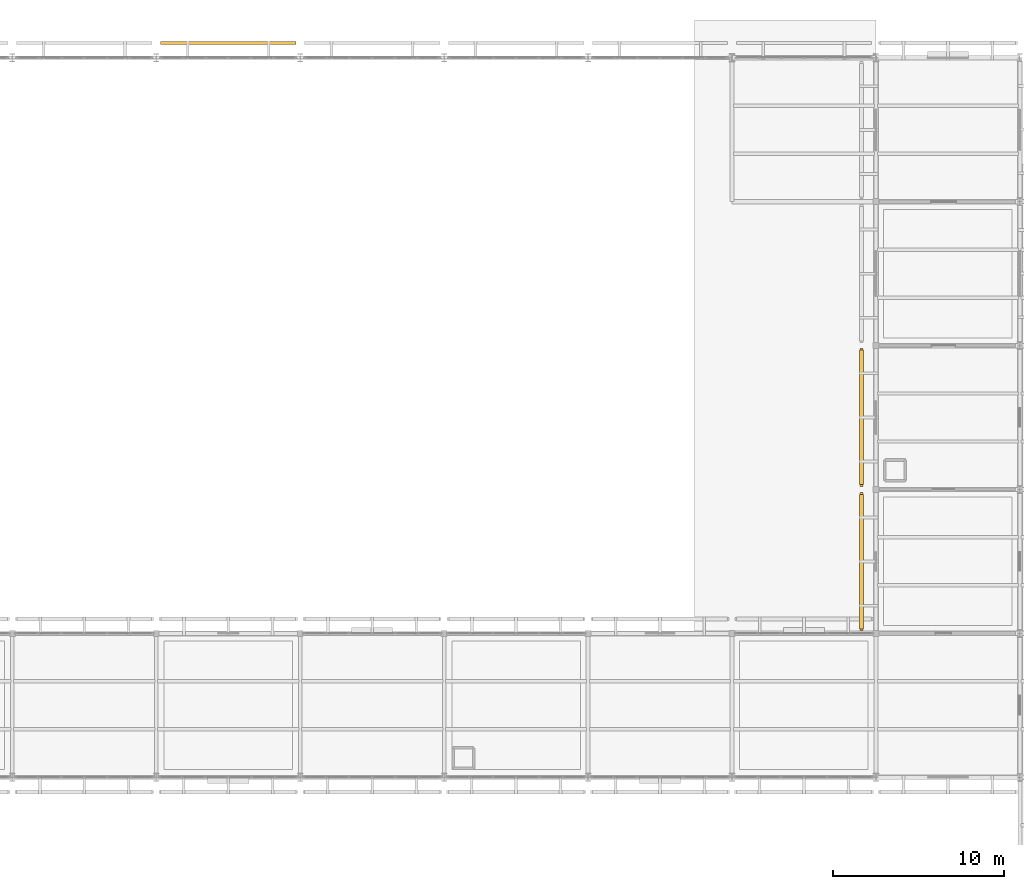
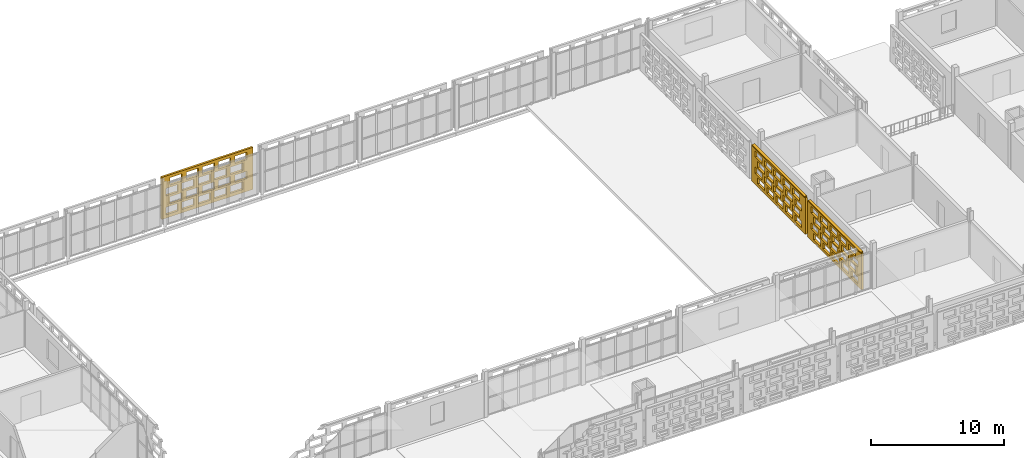
# One storey, part 127 of 140: 3 coverings, 2 shading devices, 60 openings.
"""IFC4 building model written with IfcOpenShell, lengths in metres."""

from ifc_helpers import new_model, si_unit, direction, frame, frame_2d, origin, origin_2d, place, context, subcontext, project, spatial, rectangle, extrude, material, layer, layer_set, type_object, element, save


model = new_model("IFC4")

# Units and contexts
model_context = context("Model", 3, precision=1e-05, world=origin(), true_north=direction((0.0, 1.0)))
body_context = subcontext(model_context, "Body", "Model", "MODEL_VIEW")
ifc_project = project(units=[si_unit("LENGTHUNIT", "METRE"), si_unit("AREAUNIT", "SQUARE_METRE"), si_unit("VOLUMEUNIT", "CUBIC_METRE"), si_unit("PLANEANGLEUNIT", "RADIAN"), si_unit("MASSUNIT", "GRAM", prefix="KILO")], contexts=[model_context])

# Site, building, storey
site_placement = place(None, origin())
site = spatial("IfcSite", under=ifc_project, at=site_placement, CompositionType="ELEMENT")
building_placement = place(site_placement, origin())
building = spatial("IfcBuilding", under=site, at=building_placement, Name="Varnapada Polytechnic", CompositionType="ELEMENT")
storey_placement = place(building_placement, frame((0.0, 0.0, 13.800048828125)))
storey = spatial("IfcBuildingStorey", under=building, at=storey_placement, Name="L03", CompositionType="ELEMENT", Elevation=13.800048828125)

# Covering, openings
ifc_material = material(Name="Earth-toned architectural terracotta screen block", Category="masonry")
ifc_layer_1 = layer(ifc_material, 0.1201171875)
ifc_layer_set_1 = layer_set([ifc_layer_1], Name="Earth-toned architectural terracotta screen block")
covering_type = type_object("IfcCoveringType", Name="Terracotta Screen Cladding CLD-01", PredefinedType="CLADDING", material=ifc_layer_set_1)
covering_1_placement = place(storey_placement, frame((125.14990234375, 92.570068359375, 0.0), z_axis=(0.0, 0.0, 1.0), x_axis=(0.0, 1.0, 0.0)))
covering_1 = element("IfcCovering", 1, at=covering_1_placement, inside=storey, type_object=covering_type, Name="L03 perforated terracotta block screen (70)", PredefinedType="CLADDING", context=body_context, shape_type="SweptSolid", body=[
    extrude(rectangle(XDim=8.050048828125, YDim=0.179931640625, at=frame_2d((4.02490234375, 0.0))), origin(), (0.0, 0.0, 1.0), 3.320068359375),
])
opening_1_placement = place(covering_1_placement, frame((0.52490234375, 0.0, 0.265625)))
element("IfcOpeningElement", 2, at=opening_1_placement, cuts=covering_1, Name="Screen perforation TBS-L03-069.1", PredefinedType="OPENING", context=body_context, shape_type="SweptSolid", body=[
    extrude(rectangle(XDim=1.0400390625, YDim=0.5810546875, at=frame_2d((0.52001953125, 0.29052734375))), frame((0.0, 0.099853515625, 0.0), z_axis=(0.0, -1.0, 0.0), x_axis=(1.0, 0.0, 0.0)), (0.0, 0.0, 1.0), 0.199951171875),
])
opening_2_placement = place(covering_1_placement, frame((1.925048828125, 0.0, 0.265625)))
element("IfcOpeningElement", 3, at=opening_2_placement, cuts=covering_1, Name="Screen perforation TBS-L03-069.2", PredefinedType="OPENING", context=body_context, shape_type="SweptSolid", body=[
    extrude(rectangle(XDim=1.0400390625, YDim=0.5810546875, at=frame_2d((0.52001953125, 0.29052734375))), frame((0.0, 0.099853515625, 0.0), z_axis=(0.0, -1.0, 0.0), x_axis=(1.0, 0.0, 0.0)), (0.0, 0.0, 1.0), 0.199951171875),
])
opening_3_placement = place(covering_1_placement, frame((3.324951171875, 0.0, 0.265625)))
element("IfcOpeningElement", 4, at=opening_3_placement, cuts=covering_1, Name="Screen perforation TBS-L03-069.3", PredefinedType="OPENING", context=body_context, shape_type="SweptSolid", body=[
    extrude(rectangle(XDim=1.0400390625, YDim=0.5810546875, at=frame_2d((0.52001953125, 0.29052734375))), frame((0.0, 0.099853515625, 0.0), z_axis=(0.0, -1.0, 0.0), x_axis=(1.0, 0.0, 0.0)), (0.0, 0.0, 1.0), 0.199951171875),
])
opening_4_placement = place(covering_1_placement, frame((4.72509765625, 0.0, 0.265625)))
element("IfcOpeningElement", 5, at=opening_4_placement, cuts=covering_1, Name="Screen perforation TBS-L03-069.4", PredefinedType="OPENING", context=body_context, shape_type="SweptSolid", body=[
    extrude(rectangle(XDim=1.0400390625, YDim=0.5810546875, at=frame_2d((0.52001953125, 0.29052734375))), frame((0.0, 0.099853515625, 0.0), z_axis=(0.0, -1.0, 0.0), x_axis=(1.0, 0.0, 0.0)), (0.0, 0.0, 1.0), 0.199951171875),
])
opening_5_placement = place(covering_1_placement, frame((6.125, 0.0, 0.265625)))
element("IfcOpeningElement", 6, at=opening_5_placement, cuts=covering_1, Name="Screen perforation TBS-L03-069.5", PredefinedType="OPENING", context=body_context, shape_type="SweptSolid", body=[
    extrude(rectangle(XDim=1.0400390625, YDim=0.5810546875, at=frame_2d((0.52001953125, 0.29052734375))), frame((0.0, 0.099853515625, 0.0), z_axis=(0.0, -1.0, 0.0), x_axis=(1.0, 0.0, 0.0)), (0.0, 0.0, 1.0), 0.199951171875),
])
opening_6_placement = place(covering_1_placement, frame((0.885009765625, 0.0, 1.0126953125)))
element("IfcOpeningElement", 7, at=opening_6_placement, cuts=covering_1, Name="Screen perforation TBS-L03-069.6", PredefinedType="OPENING", context=body_context, shape_type="SweptSolid", body=[
    extrude(rectangle(XDim=1.0400390625, YDim=0.5810546875, at=frame_2d((0.52001953125, 0.29052734375))), frame((0.0, 0.099853515625, 0.0), z_axis=(0.0, -1.0, 0.0), x_axis=(1.0, 0.0, 0.0)), (0.0, 0.0, 1.0), 0.199951171875),
])
opening_7_placement = place(covering_1_placement, frame((2.284912109375, 0.0, 1.0126953125)))
element("IfcOpeningElement", 8, at=opening_7_placement, cuts=covering_1, Name="Screen perforation TBS-L03-069.7", PredefinedType="OPENING", context=body_context, shape_type="SweptSolid", body=[
    extrude(rectangle(XDim=1.0400390625, YDim=0.5810546875, at=frame_2d((0.52001953125, 0.29052734375))), frame((0.0, 0.099853515625, 0.0), z_axis=(0.0, -1.0, 0.0), x_axis=(1.0, 0.0, 0.0)), (0.0, 0.0, 1.0), 0.199951171875),
])
opening_8_placement = place(covering_1_placement, frame((3.68505859375, 0.0, 1.0126953125)))
element("IfcOpeningElement", 9, at=opening_8_placement, cuts=covering_1, Name="Screen perforation TBS-L03-069.8", PredefinedType="OPENING", context=body_context, shape_type="SweptSolid", body=[
    extrude(rectangle(XDim=1.0400390625, YDim=0.5810546875, at=frame_2d((0.52001953125, 0.29052734375))), frame((0.0, 0.099853515625, 0.0), z_axis=(0.0, -1.0, 0.0), x_axis=(1.0, 0.0, 0.0)), (0.0, 0.0, 1.0), 0.199951171875),
])
opening_9_placement = place(covering_1_placement, frame((5.0849609375, 0.0, 1.0126953125)))
element("IfcOpeningElement", 10, at=opening_9_placement, cuts=covering_1, Name="Screen perforation TBS-L03-069.9", PredefinedType="OPENING", context=body_context, shape_type="SweptSolid", body=[
    extrude(rectangle(XDim=1.0400390625, YDim=0.5810546875, at=frame_2d((0.52001953125, 0.29052734375))), frame((0.0, 0.099853515625, 0.0), z_axis=(0.0, -1.0, 0.0), x_axis=(1.0, 0.0, 0.0)), (0.0, 0.0, 1.0), 0.199951171875),
])
opening_10_placement = place(covering_1_placement, frame((6.485107421875, 0.0, 1.0126953125)))
element("IfcOpeningElement", 11, at=opening_10_placement, cuts=covering_1, Name="Screen perforation TBS-L03-069.10", PredefinedType="OPENING", context=body_context, shape_type="SweptSolid", body=[
    extrude(rectangle(XDim=1.0400390625, YDim=0.5810546875, at=frame_2d((0.52001953125, 0.29052734375))), frame((0.0, 0.099853515625, 0.0), z_axis=(0.0, -1.0, 0.0), x_axis=(1.0, 0.0, 0.0)), (0.0, 0.0, 1.0), 0.199951171875),
])
opening_11_placement = place(covering_1_placement, frame((0.52490234375, 0.0, 1.759521484375)))
element("IfcOpeningElement", 12, at=opening_11_placement, cuts=covering_1, Name="Screen perforation TBS-L03-069.11", PredefinedType="OPENING", context=body_context, shape_type="SweptSolid", body=[
    extrude(rectangle(XDim=1.0400390625, YDim=0.5810546875, at=frame_2d((0.52001953125, 0.29052734375))), frame((0.0, 0.099853515625, 0.0), z_axis=(0.0, -1.0, 0.0), x_axis=(1.0, 0.0, 0.0)), (0.0, 0.0, 1.0), 0.199951171875),
])
opening_12_placement = place(covering_1_placement, frame((1.925048828125, 0.0, 1.759521484375)))
element("IfcOpeningElement", 13, at=opening_12_placement, cuts=covering_1, Name="Screen perforation TBS-L03-069.12", PredefinedType="OPENING", context=body_context, shape_type="SweptSolid", body=[
    extrude(rectangle(XDim=1.0400390625, YDim=0.5810546875, at=frame_2d((0.52001953125, 0.29052734375))), frame((0.0, 0.099853515625, 0.0), z_axis=(0.0, -1.0, 0.0), x_axis=(1.0, 0.0, 0.0)), (0.0, 0.0, 1.0), 0.199951171875),
])
opening_13_placement = place(covering_1_placement, frame((3.324951171875, 0.0, 1.759521484375)))
element("IfcOpeningElement", 14, at=opening_13_placement, cuts=covering_1, Name="Screen perforation TBS-L03-069.13", PredefinedType="OPENING", context=body_context, shape_type="SweptSolid", body=[
    extrude(rectangle(XDim=1.0400390625, YDim=0.5810546875, at=frame_2d((0.52001953125, 0.29052734375))), frame((0.0, 0.099853515625, 0.0), z_axis=(0.0, -1.0, 0.0), x_axis=(1.0, 0.0, 0.0)), (0.0, 0.0, 1.0), 0.199951171875),
])
opening_14_placement = place(covering_1_placement, frame((4.72509765625, 0.0, 1.759521484375)))
element("IfcOpeningElement", 15, at=opening_14_placement, cuts=covering_1, Name="Screen perforation TBS-L03-069.14", PredefinedType="OPENING", context=body_context, shape_type="SweptSolid", body=[
    extrude(rectangle(XDim=1.0400390625, YDim=0.5810546875, at=frame_2d((0.52001953125, 0.29052734375))), frame((0.0, 0.099853515625, 0.0), z_axis=(0.0, -1.0, 0.0), x_axis=(1.0, 0.0, 0.0)), (0.0, 0.0, 1.0), 0.199951171875),
])
opening_15_placement = place(covering_1_placement, frame((6.125, 0.0, 1.759521484375)))
element("IfcOpeningElement", 16, at=opening_15_placement, cuts=covering_1, Name="Screen perforation TBS-L03-069.15", PredefinedType="OPENING", context=body_context, shape_type="SweptSolid", body=[
    extrude(rectangle(XDim=1.0400390625, YDim=0.5810546875, at=frame_2d((0.52001953125, 0.29052734375))), frame((0.0, 0.099853515625, 0.0), z_axis=(0.0, -1.0, 0.0), x_axis=(1.0, 0.0, 0.0)), (0.0, 0.0, 1.0), 0.199951171875),
])
opening_16_placement = place(covering_1_placement, frame((0.885009765625, 0.0, 2.506591796875)))
element("IfcOpeningElement", 17, at=opening_16_placement, cuts=covering_1, Name="Screen perforation TBS-L03-069.16", PredefinedType="OPENING", context=body_context, shape_type="SweptSolid", body=[
    extrude(rectangle(XDim=1.0400390625, YDim=0.5810546875, at=frame_2d((0.52001953125, 0.29052734375))), frame((0.0, 0.099853515625, 0.0), z_axis=(0.0, -1.0, 0.0), x_axis=(1.0, 0.0, 0.0)), (0.0, 0.0, 1.0), 0.199951171875),
])
opening_17_placement = place(covering_1_placement, frame((2.284912109375, 0.0, 2.506591796875)))
element("IfcOpeningElement", 18, at=opening_17_placement, cuts=covering_1, Name="Screen perforation TBS-L03-069.17", PredefinedType="OPENING", context=body_context, shape_type="SweptSolid", body=[
    extrude(rectangle(XDim=1.0400390625, YDim=0.5810546875, at=frame_2d((0.52001953125, 0.29052734375))), frame((0.0, 0.099853515625, 0.0), z_axis=(0.0, -1.0, 0.0), x_axis=(1.0, 0.0, 0.0)), (0.0, 0.0, 1.0), 0.199951171875),
])
opening_18_placement = place(covering_1_placement, frame((3.68505859375, 0.0, 2.506591796875)))
element("IfcOpeningElement", 19, at=opening_18_placement, cuts=covering_1, Name="Screen perforation TBS-L03-069.18", PredefinedType="OPENING", context=body_context, shape_type="SweptSolid", body=[
    extrude(rectangle(XDim=1.0400390625, YDim=0.5810546875, at=frame_2d((0.52001953125, 0.29052734375))), frame((0.0, 0.099853515625, 0.0), z_axis=(0.0, -1.0, 0.0), x_axis=(1.0, 0.0, 0.0)), (0.0, 0.0, 1.0), 0.199951171875),
])
opening_19_placement = place(covering_1_placement, frame((5.0849609375, 0.0, 2.506591796875)))
element("IfcOpeningElement", 20, at=opening_19_placement, cuts=covering_1, Name="Screen perforation TBS-L03-069.19", PredefinedType="OPENING", context=body_context, shape_type="SweptSolid", body=[
    extrude(rectangle(XDim=1.0400390625, YDim=0.5810546875, at=frame_2d((0.52001953125, 0.29052734375))), frame((0.0, 0.099853515625, 0.0), z_axis=(0.0, -1.0, 0.0), x_axis=(1.0, 0.0, 0.0)), (0.0, 0.0, 1.0), 0.199951171875),
])
opening_20_placement = place(covering_1_placement, frame((6.485107421875, 0.0, 2.506591796875)))
element("IfcOpeningElement", 21, at=opening_20_placement, cuts=covering_1, Name="Screen perforation TBS-L03-069.20", PredefinedType="OPENING", context=body_context, shape_type="SweptSolid", body=[
    extrude(rectangle(XDim=1.0400390625, YDim=0.5810546875, at=frame_2d((0.52001953125, 0.29052734375))), frame((0.0, 0.099853515625, 0.0), z_axis=(0.0, -1.0, 0.0), x_axis=(1.0, 0.0, 0.0)), (0.0, 0.0, 1.0), 0.199951171875),
])

covering_2_placement = place(storey_placement, frame((125.14990234375, 100.97998046875, 0.0), z_axis=(0.0, 0.0, 1.0), x_axis=(0.0, 1.0, 0.0)))
covering_2 = element("IfcCovering", 22, at=covering_2_placement, inside=storey, type_object=covering_type, Name="L03 perforated terracotta block screen (72)", PredefinedType="CLADDING", context=body_context, shape_type="SweptSolid", body=[
    extrude(rectangle(XDim=8.050048828125, YDim=0.179931640625, at=frame_2d((4.02490234375, 0.0))), origin(), (0.0, 0.0, 1.0), 3.320068359375),
])
opening_21_placement = place(covering_2_placement, frame((0.52490234375, 0.0, 0.265625)))
element("IfcOpeningElement", 23, at=opening_21_placement, cuts=covering_2, Name="Screen perforation TBS-L03-071.1", PredefinedType="OPENING", context=body_context, shape_type="SweptSolid", body=[
    extrude(rectangle(XDim=1.0400390625, YDim=0.5810546875, at=frame_2d((0.52001953125, 0.29052734375))), frame((0.0, 0.099853515625, 0.0), z_axis=(0.0, -1.0, 0.0), x_axis=(1.0, 0.0, 0.0)), (0.0, 0.0, 1.0), 0.199951171875),
])
opening_22_placement = place(covering_2_placement, frame((1.925048828125, 0.0, 0.265625)))
element("IfcOpeningElement", 24, at=opening_22_placement, cuts=covering_2, Name="Screen perforation TBS-L03-071.2", PredefinedType="OPENING", context=body_context, shape_type="SweptSolid", body=[
    extrude(rectangle(XDim=1.0400390625, YDim=0.5810546875, at=frame_2d((0.52001953125, 0.29052734375))), frame((0.0, 0.099853515625, 0.0), z_axis=(0.0, -1.0, 0.0), x_axis=(1.0, 0.0, 0.0)), (0.0, 0.0, 1.0), 0.199951171875),
])
opening_23_placement = place(covering_2_placement, frame((3.324951171875, 0.0, 0.265625)))
element("IfcOpeningElement", 25, at=opening_23_placement, cuts=covering_2, Name="Screen perforation TBS-L03-071.3", PredefinedType="OPENING", context=body_context, shape_type="SweptSolid", body=[
    extrude(rectangle(XDim=1.0400390625, YDim=0.5810546875, at=frame_2d((0.52001953125, 0.29052734375))), frame((0.0, 0.099853515625, 0.0), z_axis=(0.0, -1.0, 0.0), x_axis=(1.0, 0.0, 0.0)), (0.0, 0.0, 1.0), 0.199951171875),
])
opening_24_placement = place(covering_2_placement, frame((4.72509765625, 0.0, 0.265625)))
element("IfcOpeningElement", 26, at=opening_24_placement, cuts=covering_2, Name="Screen perforation TBS-L03-071.4", PredefinedType="OPENING", context=body_context, shape_type="SweptSolid", body=[
    extrude(rectangle(XDim=1.0400390625, YDim=0.5810546875, at=frame_2d((0.52001953125, 0.29052734375))), frame((0.0, 0.099853515625, 0.0), z_axis=(0.0, -1.0, 0.0), x_axis=(1.0, 0.0, 0.0)), (0.0, 0.0, 1.0), 0.199951171875),
])
opening_25_placement = place(covering_2_placement, frame((6.125, 0.0, 0.265625)))
element("IfcOpeningElement", 27, at=opening_25_placement, cuts=covering_2, Name="Screen perforation TBS-L03-071.5", PredefinedType="OPENING", context=body_context, shape_type="SweptSolid", body=[
    extrude(rectangle(XDim=1.0400390625, YDim=0.5810546875, at=frame_2d((0.52001953125, 0.29052734375))), frame((0.0, 0.099853515625, 0.0), z_axis=(0.0, -1.0, 0.0), x_axis=(1.0, 0.0, 0.0)), (0.0, 0.0, 1.0), 0.199951171875),
])
opening_26_placement = place(covering_2_placement, frame((0.885009765625, 0.0, 1.0126953125)))
element("IfcOpeningElement", 28, at=opening_26_placement, cuts=covering_2, Name="Screen perforation TBS-L03-071.6", PredefinedType="OPENING", context=body_context, shape_type="SweptSolid", body=[
    extrude(rectangle(XDim=1.0400390625, YDim=0.5810546875, at=frame_2d((0.52001953125, 0.29052734375))), frame((0.0, 0.099853515625, 0.0), z_axis=(0.0, -1.0, 0.0), x_axis=(1.0, 0.0, 0.0)), (0.0, 0.0, 1.0), 0.199951171875),
])
opening_27_placement = place(covering_2_placement, frame((2.284912109375, 0.0, 1.0126953125)))
element("IfcOpeningElement", 29, at=opening_27_placement, cuts=covering_2, Name="Screen perforation TBS-L03-071.7", PredefinedType="OPENING", context=body_context, shape_type="SweptSolid", body=[
    extrude(rectangle(XDim=1.0400390625, YDim=0.5810546875, at=frame_2d((0.52001953125, 0.29052734375))), frame((0.0, 0.099853515625, 0.0), z_axis=(0.0, -1.0, 0.0), x_axis=(1.0, 0.0, 0.0)), (0.0, 0.0, 1.0), 0.199951171875),
])
opening_28_placement = place(covering_2_placement, frame((3.68505859375, 0.0, 1.0126953125)))
element("IfcOpeningElement", 30, at=opening_28_placement, cuts=covering_2, Name="Screen perforation TBS-L03-071.8", PredefinedType="OPENING", context=body_context, shape_type="SweptSolid", body=[
    extrude(rectangle(XDim=1.0400390625, YDim=0.5810546875, at=frame_2d((0.52001953125, 0.29052734375))), frame((0.0, 0.099853515625, 0.0), z_axis=(0.0, -1.0, 0.0), x_axis=(1.0, 0.0, 0.0)), (0.0, 0.0, 1.0), 0.199951171875),
])
opening_29_placement = place(covering_2_placement, frame((5.0849609375, 0.0, 1.0126953125)))
element("IfcOpeningElement", 31, at=opening_29_placement, cuts=covering_2, Name="Screen perforation TBS-L03-071.9", PredefinedType="OPENING", context=body_context, shape_type="SweptSolid", body=[
    extrude(rectangle(XDim=1.0400390625, YDim=0.5810546875, at=frame_2d((0.52001953125, 0.29052734375))), frame((0.0, 0.099853515625, 0.0), z_axis=(0.0, -1.0, 0.0), x_axis=(1.0, 0.0, 0.0)), (0.0, 0.0, 1.0), 0.199951171875),
])
opening_30_placement = place(covering_2_placement, frame((6.485107421875, 0.0, 1.0126953125)))
element("IfcOpeningElement", 32, at=opening_30_placement, cuts=covering_2, Name="Screen perforation TBS-L03-071.10", PredefinedType="OPENING", context=body_context, shape_type="SweptSolid", body=[
    extrude(rectangle(XDim=1.0400390625, YDim=0.5810546875, at=frame_2d((0.52001953125, 0.29052734375))), frame((0.0, 0.099853515625, 0.0), z_axis=(0.0, -1.0, 0.0), x_axis=(1.0, 0.0, 0.0)), (0.0, 0.0, 1.0), 0.199951171875),
])
opening_31_placement = place(covering_2_placement, frame((0.52490234375, 0.0, 1.759521484375)))
element("IfcOpeningElement", 33, at=opening_31_placement, cuts=covering_2, Name="Screen perforation TBS-L03-071.11", PredefinedType="OPENING", context=body_context, shape_type="SweptSolid", body=[
    extrude(rectangle(XDim=1.0400390625, YDim=0.5810546875, at=frame_2d((0.52001953125, 0.29052734375))), frame((0.0, 0.099853515625, 0.0), z_axis=(0.0, -1.0, 0.0), x_axis=(1.0, 0.0, 0.0)), (0.0, 0.0, 1.0), 0.199951171875),
])
opening_32_placement = place(covering_2_placement, frame((1.925048828125, 0.0, 1.759521484375)))
element("IfcOpeningElement", 34, at=opening_32_placement, cuts=covering_2, Name="Screen perforation TBS-L03-071.12", PredefinedType="OPENING", context=body_context, shape_type="SweptSolid", body=[
    extrude(rectangle(XDim=1.0400390625, YDim=0.5810546875, at=frame_2d((0.52001953125, 0.29052734375))), frame((0.0, 0.099853515625, 0.0), z_axis=(0.0, -1.0, 0.0), x_axis=(1.0, 0.0, 0.0)), (0.0, 0.0, 1.0), 0.199951171875),
])
opening_33_placement = place(covering_2_placement, frame((3.324951171875, 0.0, 1.759521484375)))
element("IfcOpeningElement", 35, at=opening_33_placement, cuts=covering_2, Name="Screen perforation TBS-L03-071.13", PredefinedType="OPENING", context=body_context, shape_type="SweptSolid", body=[
    extrude(rectangle(XDim=1.0400390625, YDim=0.5810546875, at=frame_2d((0.52001953125, 0.29052734375))), frame((0.0, 0.099853515625, 0.0), z_axis=(0.0, -1.0, 0.0), x_axis=(1.0, 0.0, 0.0)), (0.0, 0.0, 1.0), 0.199951171875),
])
opening_34_placement = place(covering_2_placement, frame((4.72509765625, 0.0, 1.759521484375)))
element("IfcOpeningElement", 36, at=opening_34_placement, cuts=covering_2, Name="Screen perforation TBS-L03-071.14", PredefinedType="OPENING", context=body_context, shape_type="SweptSolid", body=[
    extrude(rectangle(XDim=1.0400390625, YDim=0.5810546875, at=frame_2d((0.52001953125, 0.29052734375))), frame((0.0, 0.099853515625, 0.0), z_axis=(0.0, -1.0, 0.0), x_axis=(1.0, 0.0, 0.0)), (0.0, 0.0, 1.0), 0.199951171875),
])
opening_35_placement = place(covering_2_placement, frame((6.125, 0.0, 1.759521484375)))
element("IfcOpeningElement", 37, at=opening_35_placement, cuts=covering_2, Name="Screen perforation TBS-L03-071.15", PredefinedType="OPENING", context=body_context, shape_type="SweptSolid", body=[
    extrude(rectangle(XDim=1.0400390625, YDim=0.5810546875, at=frame_2d((0.52001953125, 0.29052734375))), frame((0.0, 0.099853515625, 0.0), z_axis=(0.0, -1.0, 0.0), x_axis=(1.0, 0.0, 0.0)), (0.0, 0.0, 1.0), 0.199951171875),
])
opening_36_placement = place(covering_2_placement, frame((0.885009765625, 0.0, 2.506591796875)))
element("IfcOpeningElement", 38, at=opening_36_placement, cuts=covering_2, Name="Screen perforation TBS-L03-071.16", PredefinedType="OPENING", context=body_context, shape_type="SweptSolid", body=[
    extrude(rectangle(XDim=1.0400390625, YDim=0.5810546875, at=frame_2d((0.52001953125, 0.29052734375))), frame((0.0, 0.099853515625, 0.0), z_axis=(0.0, -1.0, 0.0), x_axis=(1.0, 0.0, 0.0)), (0.0, 0.0, 1.0), 0.199951171875),
])
opening_37_placement = place(covering_2_placement, frame((2.284912109375, 0.0, 2.506591796875)))
element("IfcOpeningElement", 39, at=opening_37_placement, cuts=covering_2, Name="Screen perforation TBS-L03-071.17", PredefinedType="OPENING", context=body_context, shape_type="SweptSolid", body=[
    extrude(rectangle(XDim=1.0400390625, YDim=0.5810546875, at=frame_2d((0.52001953125, 0.29052734375))), frame((0.0, 0.099853515625, 0.0), z_axis=(0.0, -1.0, 0.0), x_axis=(1.0, 0.0, 0.0)), (0.0, 0.0, 1.0), 0.199951171875),
])
opening_38_placement = place(covering_2_placement, frame((3.68505859375, 0.0, 2.506591796875)))
element("IfcOpeningElement", 40, at=opening_38_placement, cuts=covering_2, Name="Screen perforation TBS-L03-071.18", PredefinedType="OPENING", context=body_context, shape_type="SweptSolid", body=[
    extrude(rectangle(XDim=1.0400390625, YDim=0.5810546875, at=frame_2d((0.52001953125, 0.29052734375))), frame((0.0, 0.099853515625, 0.0), z_axis=(0.0, -1.0, 0.0), x_axis=(1.0, 0.0, 0.0)), (0.0, 0.0, 1.0), 0.199951171875),
])
opening_39_placement = place(covering_2_placement, frame((5.0849609375, 0.0, 2.506591796875)))
element("IfcOpeningElement", 41, at=opening_39_placement, cuts=covering_2, Name="Screen perforation TBS-L03-071.19", PredefinedType="OPENING", context=body_context, shape_type="SweptSolid", body=[
    extrude(rectangle(XDim=1.0400390625, YDim=0.5810546875, at=frame_2d((0.52001953125, 0.29052734375))), frame((0.0, 0.099853515625, 0.0), z_axis=(0.0, -1.0, 0.0), x_axis=(1.0, 0.0, 0.0)), (0.0, 0.0, 1.0), 0.199951171875),
])
opening_40_placement = place(covering_2_placement, frame((6.485107421875, 0.0, 2.506591796875)))
element("IfcOpeningElement", 42, at=opening_40_placement, cuts=covering_2, Name="Screen perforation TBS-L03-071.20", PredefinedType="OPENING", context=body_context, shape_type="SweptSolid", body=[
    extrude(rectangle(XDim=1.0400390625, YDim=0.5810546875, at=frame_2d((0.52001953125, 0.29052734375))), frame((0.0, 0.099853515625, 0.0), z_axis=(0.0, -1.0, 0.0), x_axis=(1.0, 0.0, 0.0)), (0.0, 0.0, 1.0), 0.199951171875),
])

covering_3_placement = place(storey_placement, frame((84.25, 126.85009765625, 0.0), z_axis=(0.0, 0.0, 1.0), x_axis=(1.0, 0.0, 0.0)))
covering_3 = element("IfcCovering", 43, at=covering_3_placement, inside=storey, type_object=covering_type, Name="L03 high-bay workshop north terracotta screen 11", PredefinedType="CLADDING", context=body_context, shape_type="SweptSolid", body=[
    extrude(rectangle(XDim=7.89990234375, YDim=0.179931640625, at=frame_2d((3.949951171875, 0.0))), origin(), (0.0, 0.0, 1.0), 3.849853515625),
])
opening_41_placement = place(covering_3_placement, frame((0.3701171875, 0.0, 0.30810546875)))
element("IfcOpeningElement", 44, at=opening_41_placement, cuts=covering_3, Name="Screen perforation TBS-WK-L03-10.1", PredefinedType="OPENING", context=body_context, shape_type="SweptSolid", body=[
    extrude(rectangle(XDim=1.0400390625, YDim=0.673583984375, at=frame_2d((0.52001953125, 0.3369140625))), frame((0.0, 0.099853515625, 0.0), z_axis=(0.0, -1.0, 0.0), x_axis=(1.0, 0.0, 0.0)), (0.0, 0.0, 1.0), 0.199951171875),
])
opening_42_placement = place(covering_3_placement, frame((1.77001953125, 0.0, 0.30810546875)))
element("IfcOpeningElement", 45, at=opening_42_placement, cuts=covering_3, Name="Screen perforation TBS-WK-L03-10.2", PredefinedType="OPENING", context=body_context, shape_type="SweptSolid", body=[
    extrude(rectangle(XDim=1.0400390625, YDim=0.673583984375, at=frame_2d((0.52001953125, 0.3369140625))), frame((0.0, 0.099853515625, 0.0), z_axis=(0.0, -1.0, 0.0), x_axis=(1.0, 0.0, 0.0)), (0.0, 0.0, 1.0), 0.199951171875),
])
opening_43_placement = place(covering_3_placement, frame((3.169921875, 0.0, 0.30810546875)))
element("IfcOpeningElement", 46, at=opening_43_placement, cuts=covering_3, Name="Screen perforation TBS-WK-L03-10.3", PredefinedType="OPENING", context=body_context, shape_type="SweptSolid", body=[
    extrude(rectangle(XDim=1.0400390625, YDim=0.673583984375, at=frame_2d((0.52001953125, 0.3369140625))), frame((0.0, 0.099853515625, 0.0), z_axis=(0.0, -1.0, 0.0), x_axis=(1.0, 0.0, 0.0)), (0.0, 0.0, 1.0), 0.199951171875),
])
opening_44_placement = place(covering_3_placement, frame((4.570068359375, 0.0, 0.30810546875)))
element("IfcOpeningElement", 47, at=opening_44_placement, cuts=covering_3, Name="Screen perforation TBS-WK-L03-10.4", PredefinedType="OPENING", context=body_context, shape_type="SweptSolid", body=[
    extrude(rectangle(XDim=1.0400390625, YDim=0.673583984375, at=frame_2d((0.52001953125, 0.3369140625))), frame((0.0, 0.099853515625, 0.0), z_axis=(0.0, -1.0, 0.0), x_axis=(1.0, 0.0, 0.0)), (0.0, 0.0, 1.0), 0.199951171875),
])
opening_45_placement = place(covering_3_placement, frame((5.969970703125, 0.0, 0.30810546875)))
element("IfcOpeningElement", 48, at=opening_45_placement, cuts=covering_3, Name="Screen perforation TBS-WK-L03-10.5", PredefinedType="OPENING", context=body_context, shape_type="SweptSolid", body=[
    extrude(rectangle(XDim=1.0400390625, YDim=0.673583984375, at=frame_2d((0.52001953125, 0.3369140625))), frame((0.0, 0.099853515625, 0.0), z_axis=(0.0, -1.0, 0.0), x_axis=(1.0, 0.0, 0.0)), (0.0, 0.0, 1.0), 0.199951171875),
])
opening_46_placement = place(covering_3_placement, frame((0.72998046875, 0.0, 1.17431640625)))
element("IfcOpeningElement", 49, at=opening_46_placement, cuts=covering_3, Name="Screen perforation TBS-WK-L03-10.6", PredefinedType="OPENING", context=body_context, shape_type="SweptSolid", body=[
    extrude(rectangle(XDim=1.0400390625, YDim=0.673583984375, at=frame_2d((0.52001953125, 0.3369140625))), frame((0.0, 0.099853515625, 0.0), z_axis=(0.0, -1.0, 0.0), x_axis=(1.0, 0.0, 0.0)), (0.0, 0.0, 1.0), 0.199951171875),
])
opening_47_placement = place(covering_3_placement, frame((2.1298828125, 0.0, 1.17431640625)))
element("IfcOpeningElement", 50, at=opening_47_placement, cuts=covering_3, Name="Screen perforation TBS-WK-L03-10.7", PredefinedType="OPENING", context=body_context, shape_type="SweptSolid", body=[
    extrude(rectangle(XDim=1.0400390625, YDim=0.673583984375, at=frame_2d((0.52001953125, 0.3369140625))), frame((0.0, 0.099853515625, 0.0), z_axis=(0.0, -1.0, 0.0), x_axis=(1.0, 0.0, 0.0)), (0.0, 0.0, 1.0), 0.199951171875),
])
opening_48_placement = place(covering_3_placement, frame((3.530029296875, 0.0, 1.17431640625)))
element("IfcOpeningElement", 51, at=opening_48_placement, cuts=covering_3, Name="Screen perforation TBS-WK-L03-10.8", PredefinedType="OPENING", context=body_context, shape_type="SweptSolid", body=[
    extrude(rectangle(XDim=1.0400390625, YDim=0.673583984375, at=frame_2d((0.52001953125, 0.3369140625))), frame((0.0, 0.099853515625, 0.0), z_axis=(0.0, -1.0, 0.0), x_axis=(1.0, 0.0, 0.0)), (0.0, 0.0, 1.0), 0.199951171875),
])
opening_49_placement = place(covering_3_placement, frame((4.929931640625, 0.0, 1.17431640625)))
element("IfcOpeningElement", 52, at=opening_49_placement, cuts=covering_3, Name="Screen perforation TBS-WK-L03-10.9", PredefinedType="OPENING", context=body_context, shape_type="SweptSolid", body=[
    extrude(rectangle(XDim=1.0400390625, YDim=0.673583984375, at=frame_2d((0.52001953125, 0.3369140625))), frame((0.0, 0.099853515625, 0.0), z_axis=(0.0, -1.0, 0.0), x_axis=(1.0, 0.0, 0.0)), (0.0, 0.0, 1.0), 0.199951171875),
])
opening_50_placement = place(covering_3_placement, frame((6.330078125, 0.0, 1.17431640625)))
element("IfcOpeningElement", 53, at=opening_50_placement, cuts=covering_3, Name="Screen perforation TBS-WK-L03-10.10", PredefinedType="OPENING", context=body_context, shape_type="SweptSolid", body=[
    extrude(rectangle(XDim=1.0400390625, YDim=0.673583984375, at=frame_2d((0.52001953125, 0.3369140625))), frame((0.0, 0.099853515625, 0.0), z_axis=(0.0, -1.0, 0.0), x_axis=(1.0, 0.0, 0.0)), (0.0, 0.0, 1.0), 0.199951171875),
])
opening_51_placement = place(covering_3_placement, frame((0.3701171875, 0.0, 2.04052734375)))
element("IfcOpeningElement", 54, at=opening_51_placement, cuts=covering_3, Name="Screen perforation TBS-WK-L03-10.11", PredefinedType="OPENING", context=body_context, shape_type="SweptSolid", body=[
    extrude(rectangle(XDim=1.0400390625, YDim=0.673583984375, at=frame_2d((0.52001953125, 0.3369140625))), frame((0.0, 0.099853515625, 0.0), z_axis=(0.0, -1.0, 0.0), x_axis=(1.0, 0.0, 0.0)), (0.0, 0.0, 1.0), 0.199951171875),
])
opening_52_placement = place(covering_3_placement, frame((1.77001953125, 0.0, 2.04052734375)))
element("IfcOpeningElement", 55, at=opening_52_placement, cuts=covering_3, Name="Screen perforation TBS-WK-L03-10.12", PredefinedType="OPENING", context=body_context, shape_type="SweptSolid", body=[
    extrude(rectangle(XDim=1.0400390625, YDim=0.673583984375, at=frame_2d((0.52001953125, 0.3369140625))), frame((0.0, 0.099853515625, 0.0), z_axis=(0.0, -1.0, 0.0), x_axis=(1.0, 0.0, 0.0)), (0.0, 0.0, 1.0), 0.199951171875),
])
opening_53_placement = place(covering_3_placement, frame((3.169921875, 0.0, 2.04052734375)))
element("IfcOpeningElement", 56, at=opening_53_placement, cuts=covering_3, Name="Screen perforation TBS-WK-L03-10.13", PredefinedType="OPENING", context=body_context, shape_type="SweptSolid", body=[
    extrude(rectangle(XDim=1.0400390625, YDim=0.673583984375, at=frame_2d((0.52001953125, 0.3369140625))), frame((0.0, 0.099853515625, 0.0), z_axis=(0.0, -1.0, 0.0), x_axis=(1.0, 0.0, 0.0)), (0.0, 0.0, 1.0), 0.199951171875),
])
opening_54_placement = place(covering_3_placement, frame((4.570068359375, 0.0, 2.04052734375)))
element("IfcOpeningElement", 57, at=opening_54_placement, cuts=covering_3, Name="Screen perforation TBS-WK-L03-10.14", PredefinedType="OPENING", context=body_context, shape_type="SweptSolid", body=[
    extrude(rectangle(XDim=1.0400390625, YDim=0.673583984375, at=frame_2d((0.52001953125, 0.3369140625))), frame((0.0, 0.099853515625, 0.0), z_axis=(0.0, -1.0, 0.0), x_axis=(1.0, 0.0, 0.0)), (0.0, 0.0, 1.0), 0.199951171875),
])
opening_55_placement = place(covering_3_placement, frame((5.969970703125, 0.0, 2.04052734375)))
element("IfcOpeningElement", 58, at=opening_55_placement, cuts=covering_3, Name="Screen perforation TBS-WK-L03-10.15", PredefinedType="OPENING", context=body_context, shape_type="SweptSolid", body=[
    extrude(rectangle(XDim=1.0400390625, YDim=0.673583984375, at=frame_2d((0.52001953125, 0.3369140625))), frame((0.0, 0.099853515625, 0.0), z_axis=(0.0, -1.0, 0.0), x_axis=(1.0, 0.0, 0.0)), (0.0, 0.0, 1.0), 0.199951171875),
])
opening_56_placement = place(covering_3_placement, frame((0.72998046875, 0.0, 2.90673828125)))
element("IfcOpeningElement", 59, at=opening_56_placement, cuts=covering_3, Name="Screen perforation TBS-WK-L03-10.16", PredefinedType="OPENING", context=body_context, shape_type="SweptSolid", body=[
    extrude(rectangle(XDim=1.0400390625, YDim=0.673583984375, at=frame_2d((0.52001953125, 0.3369140625))), frame((0.0, 0.099853515625, 0.0), z_axis=(0.0, -1.0, 0.0), x_axis=(1.0, 0.0, 0.0)), (0.0, 0.0, 1.0), 0.199951171875),
])
opening_57_placement = place(covering_3_placement, frame((2.1298828125, 0.0, 2.90673828125)))
element("IfcOpeningElement", 60, at=opening_57_placement, cuts=covering_3, Name="Screen perforation TBS-WK-L03-10.17", PredefinedType="OPENING", context=body_context, shape_type="SweptSolid", body=[
    extrude(rectangle(XDim=1.0400390625, YDim=0.673583984375, at=frame_2d((0.52001953125, 0.3369140625))), frame((0.0, 0.099853515625, 0.0), z_axis=(0.0, -1.0, 0.0), x_axis=(1.0, 0.0, 0.0)), (0.0, 0.0, 1.0), 0.199951171875),
])
opening_58_placement = place(covering_3_placement, frame((3.530029296875, 0.0, 2.90673828125)))
element("IfcOpeningElement", 61, at=opening_58_placement, cuts=covering_3, Name="Screen perforation TBS-WK-L03-10.18", PredefinedType="OPENING", context=body_context, shape_type="SweptSolid", body=[
    extrude(rectangle(XDim=1.0400390625, YDim=0.673583984375, at=frame_2d((0.52001953125, 0.3369140625))), frame((0.0, 0.099853515625, 0.0), z_axis=(0.0, -1.0, 0.0), x_axis=(1.0, 0.0, 0.0)), (0.0, 0.0, 1.0), 0.199951171875),
])
opening_59_placement = place(covering_3_placement, frame((4.929931640625, 0.0, 2.90673828125)))
element("IfcOpeningElement", 62, at=opening_59_placement, cuts=covering_3, Name="Screen perforation TBS-WK-L03-10.19", PredefinedType="OPENING", context=body_context, shape_type="SweptSolid", body=[
    extrude(rectangle(XDim=1.0400390625, YDim=0.673583984375, at=frame_2d((0.52001953125, 0.3369140625))), frame((0.0, 0.099853515625, 0.0), z_axis=(0.0, -1.0, 0.0), x_axis=(1.0, 0.0, 0.0)), (0.0, 0.0, 1.0), 0.199951171875),
])
opening_60_placement = place(covering_3_placement, frame((6.330078125, 0.0, 2.90673828125)))
element("IfcOpeningElement", 63, at=opening_60_placement, cuts=covering_3, Name="Screen perforation TBS-WK-L03-10.20", PredefinedType="OPENING", context=body_context, shape_type="SweptSolid", body=[
    extrude(rectangle(XDim=1.0400390625, YDim=0.673583984375, at=frame_2d((0.52001953125, 0.3369140625))), frame((0.0, 0.099853515625, 0.0), z_axis=(0.0, -1.0, 0.0), x_axis=(1.0, 0.0, 0.0)), (0.0, 0.0, 1.0), 0.199951171875),
])

# Shading devices
ifc_layer_2 = layer(ifc_material, 0.179931640625)
ifc_layer_set_2 = layer_set([ifc_layer_2], Name="Earth-toned architectural terracotta screen block")
shading_device_type = type_object("IfcShadingDeviceType", Name="Terracotta Screen SCR-01", PredefinedType="USERDEFINED", material=ifc_layer_set_2)
for number, where, z_axis, x_axis, name in (
    (64, (125.14990234375, 96.594970703125, 3.309814453125), (0.0, 0.0, 1.0), (0.0, 1.0, 0.0), "L03 perforated terracotta screen hood 399"),
    (65, (125.14990234375, 105.0048828125, 3.309814453125), (0.0, 0.0, 1.0), (0.0, 1.0, 0.0), "L03 perforated terracotta screen hood 400"),
):
    element("IfcShadingDevice", number, at=place(storey_placement, frame(where, z_axis=z_axis, x_axis=x_axis)), inside=storey, type_object=shading_device_type, Name=name, ObjectType="SCREEN", PredefinedType="USERDEFINED", context=body_context, shape_type="SweptSolid", body=[
        extrude(rectangle(XDim=7.85009765625, YDim=0.239990234375, at=origin_2d()), origin(), (0.0, 0.0, 1.0), 0.10009765625),
    ])

save(model, "model.ifc")
